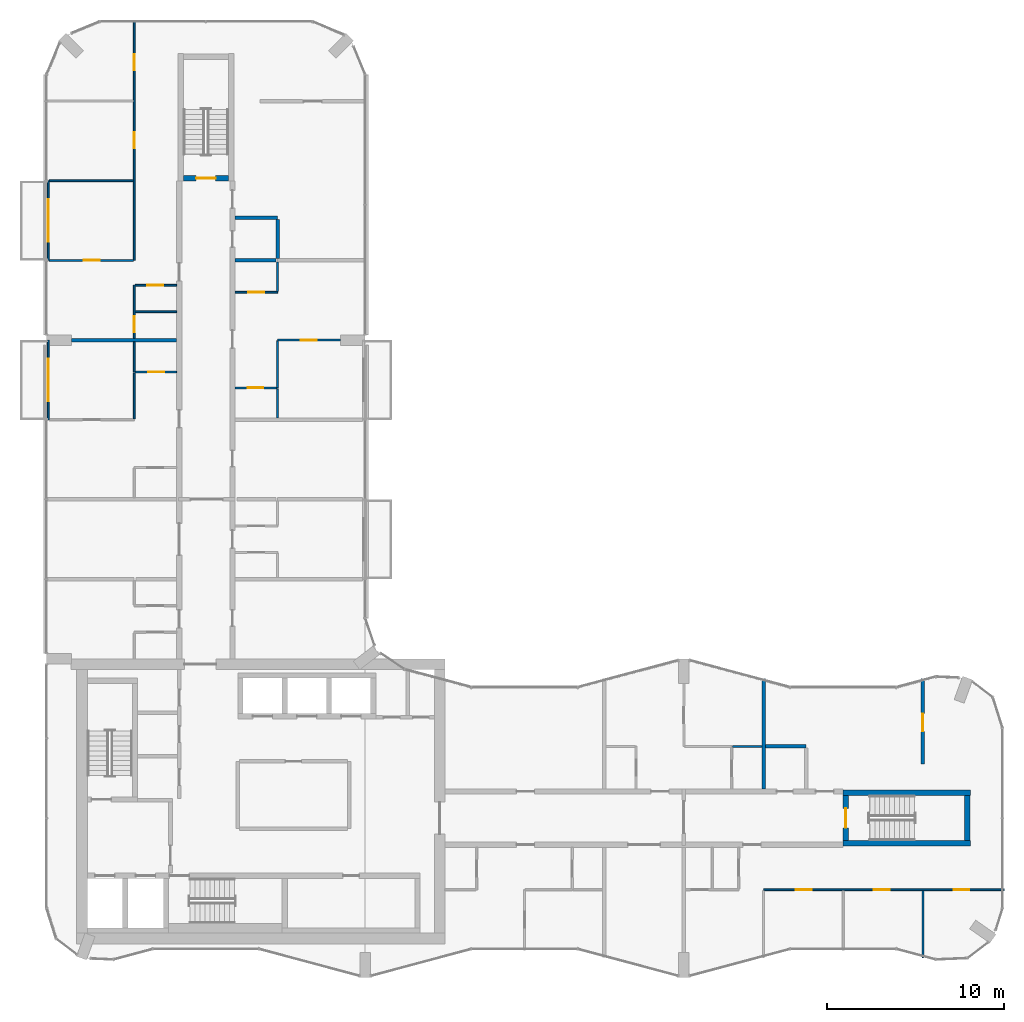
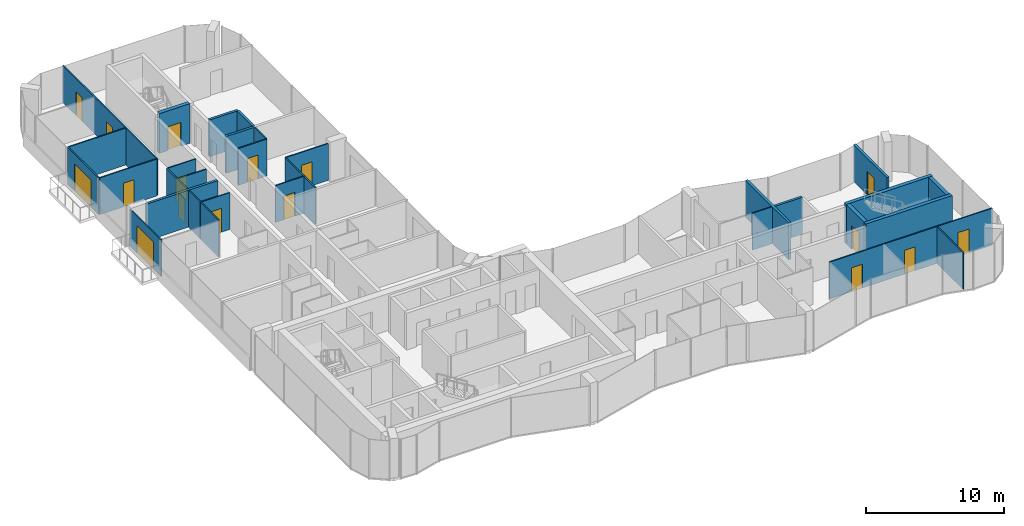
# One storey, part 12 of 15: 32 walls, 17 doors, 17 openings.
"""IFC4 building model written with IfcOpenShell, lengths in metres."""

from ifc_helpers import new_model, si_unit, direction, frame, frame_2d, origin, place, context, subcontext, project, spatial, rectangle, extrude, material, layer, layer_set, type_object, element, fill, save


model = new_model("IFC4")

# Units and contexts
model_context = context("Model", 3, precision=1e-05, world=origin(), true_north=direction((0.0, 1.0)))
body_context = subcontext(model_context, "Body", "Model", "MODEL_VIEW")
ifc_project = project(units=[si_unit("LENGTHUNIT", "METRE"), si_unit("AREAUNIT", "SQUARE_METRE"), si_unit("VOLUMEUNIT", "CUBIC_METRE"), si_unit("PLANEANGLEUNIT", "RADIAN"), si_unit("MASSUNIT", "GRAM", prefix="KILO")], contexts=[model_context])

# Site, building, storey
site_placement = place(None, origin())
site = spatial("IfcSite", under=ifc_project, at=site_placement, CompositionType="ELEMENT")
building_placement = place(site_placement, origin())
building = spatial("IfcBuilding", under=site, at=building_placement, Name="Plateau Cross Towers", CompositionType="ELEMENT")
storey_placement = place(building_placement, frame((0.0, 0.0, 149.89990234375)))
storey = spatial("IfcBuildingStorey", under=building, at=storey_placement, Name="L38", CompositionType="ELEMENT", Elevation=149.89990234375)

# Wall, opening, door
ifc_material_1 = material(Name="Aluminium framed glazing", Category="aluminium")
ifc_layer_1 = layer(ifc_material_1, 0.10009765625)
ifc_layer_set_1 = layer_set([ifc_layer_1], Name="Aluminium framed glazing")
wall_type_1 = type_object("IfcWallType", Name="Balcony screen wall 100", PredefinedType="STANDARD", material=ifc_layer_set_1)
wall_1_placement = place(storey_placement, frame((0.10009765625, 31.5, 0.0), z_axis=(0.0, 0.0, 1.0), x_axis=(0.0, 1.0, 0.0)))
wall_1 = element("IfcWall", 1, at=wall_1_placement, inside=storey, type_object=wall_type_1, Name="Balcony screen wall A-BAL-L38-01", PredefinedType="STANDARD", context=body_context, shape_type="SweptSolid", body=[
    extrude(rectangle(XDim=4.5, YDim=0.10009765625, at=frame_2d((2.25, 0.0))), origin(), (0.0, 0.0, 1.0), 3.25),
])
opening_1_placement = place(wall_1_placement, frame((1.050048828125, 0.0, 0.0)))
opening_1 = element("IfcOpeningElement", 2, at=opening_1_placement, cuts=wall_1, Name="Opening D-B24", PredefinedType="OPENING", context=body_context, shape_type="SweptSolid", body=[
    extrude(rectangle(XDim=2.39990234375, YDim=2.39990234375, at=frame_2d((1.199951171875, 1.199951171875))), frame((0.0, 0.06005859375, 0.0), z_axis=(0.0, -1.0, 0.0), x_axis=(1.0, 0.0, 0.0)), (0.0, 0.0, 1.0), 0.1201171875),
])
ifc_material_2 = material(Name="Aluminium frame, double glazing", Category="aluminium")
door_type_1 = type_object("IfcDoorType", Name="Balcony sliding door 2400", OperationType="NOTDEFINED", PredefinedType="DOOR", material=ifc_material_2)
door_1_placement = place(opening_1_placement, origin())
door_1 = element("IfcDoor", 3, at=door_1_placement, inside=storey, type_object=door_type_1, Name="Balcony door A-BAL-L38-01", OperationType="SINGLE_SWING_LEFT", OverallHeight=2.39990234375, OverallWidth=2.39990234375, PredefinedType="DOOR", context=body_context, shape_type="SweptSolid", body=[
    extrude(rectangle(XDim=2.39990234375, YDim=2.39990234375, at=frame_2d((1.199951171875, 1.199951171875))), frame((0.0, 0.02490234375, 0.0), z_axis=(0.0, -1.0, 0.0), x_axis=(1.0, 0.0, 0.0)), (0.0, 0.0, 1.0), 0.050048828125),
])
fill(opening_1, door_1)

wall_2_placement = place(storey_placement, frame((0.10009765625, 40.5, 0.0), z_axis=(0.0, 0.0, 1.0), x_axis=(0.0, 1.0, 0.0)))
wall_2 = element("IfcWall", 4, at=wall_2_placement, inside=storey, type_object=wall_type_1, Name="Balcony screen wall A-BAL-L38-02", PredefinedType="STANDARD", context=body_context, shape_type="SweptSolid", body=[
    extrude(rectangle(XDim=4.5, YDim=0.10009765625, at=frame_2d((2.25, 0.0))), origin(), (0.0, 0.0, 1.0), 3.25),
])
opening_2_placement = place(wall_2_placement, frame((1.050048828125, 0.0, 0.0)))
opening_2 = element("IfcOpeningElement", 5, at=opening_2_placement, cuts=wall_2, Name="Opening D-B24", PredefinedType="OPENING", context=body_context, shape_type="SweptSolid", body=[
    extrude(rectangle(XDim=2.39990234375, YDim=2.39990234375, at=frame_2d((1.199951171875, 1.199951171875))), frame((0.0, 0.06005859375, 0.0), z_axis=(0.0, -1.0, 0.0), x_axis=(1.0, 0.0, 0.0)), (0.0, 0.0, 1.0), 0.1201171875),
])
door_2_placement = place(opening_2_placement, origin())
door_2 = element("IfcDoor", 6, at=door_2_placement, inside=storey, type_object=door_type_1, Name="Balcony door A-BAL-L38-02", OperationType="SINGLE_SWING_LEFT", OverallHeight=2.39990234375, OverallWidth=2.39990234375, PredefinedType="DOOR", context=body_context, shape_type="SweptSolid", body=[
    extrude(rectangle(XDim=2.39990234375, YDim=2.39990234375, at=frame_2d((1.199951171875, 1.199951171875))), frame((0.0, 0.02490234375, 0.0), z_axis=(0.0, -1.0, 0.0), x_axis=(1.0, 0.0, 0.0)), (0.0, 0.0, 1.0), 0.050048828125),
])
fill(opening_2, door_2)

# Wall, openings, doors
ifc_material_3 = material(Name="Gypsum board on steel studs", Category="steel")
ifc_layer_2 = layer(ifc_material_3, 0.10009765625)
ifc_layer_set_2 = layer_set([ifc_layer_2], Name="Gypsum board on steel studs")
wall_type_2 = type_object("IfcWallType", Name="Flat partition 100", PredefinedType="PARTITIONING", material=ifc_layer_set_2)
wall_3_placement = place(storey_placement, frame((54.080078125, 4.949951171875, 0.0), z_axis=(0.0, 0.0, 1.0), x_axis=(-1.0, 0.0, 0.0)))
wall_3 = element("IfcWall", 7, at=wall_3_placement, inside=storey, type_object=wall_type_2, Name="Partition wall", PredefinedType="PARTITIONING", context=body_context, shape_type="SweptSolid", body=[
    extrude(rectangle(XDim=13.580078125, YDim=0.10009765625, at=frame_2d((6.7900390625, 0.0))), origin(), (0.0, 0.0, 1.0), 3.25),
])
opening_3_placement = place(wall_3_placement, frame((10.85009765625, 0.0, 0.0)))
opening_3 = element("IfcOpeningElement", 8, at=opening_3_placement, cuts=wall_3, Name="Opening 38-27", PredefinedType="OPENING", context=body_context, shape_type="SweptSolid", body=[
    extrude(rectangle(XDim=0.89990234375, YDim=2.10009765625, at=frame_2d((0.449951171875, 1.050048828125))), frame((0.0, 0.06005859375, 0.0), z_axis=(0.0, -1.0, 0.0), x_axis=(1.0, 0.0, 0.0)), (0.0, 0.0, 1.0), 0.1201171875),
])
opening_4_placement = place(wall_3_placement, frame((6.449951171875, 0.0, 0.0)))
opening_4 = element("IfcOpeningElement", 9, at=opening_4_placement, cuts=wall_3, Name="Opening 38-28", PredefinedType="OPENING", context=body_context, shape_type="SweptSolid", body=[
    extrude(rectangle(XDim=0.89990234375, YDim=2.10009765625, at=frame_2d((0.449951171875, 1.050048828125))), frame((0.0, 0.06005859375, 0.0), z_axis=(0.0, -1.0, 0.0), x_axis=(1.0, 0.0, 0.0)), (0.0, 0.0, 1.0), 0.1201171875),
])
opening_5_placement = place(wall_3_placement, frame((1.949951171875, 0.0, 0.0)))
opening_5 = element("IfcOpeningElement", 10, at=opening_5_placement, cuts=wall_3, Name="Opening 38-29", PredefinedType="OPENING", context=body_context, shape_type="SweptSolid", body=[
    extrude(rectangle(XDim=0.89990234375, YDim=2.10009765625, at=frame_2d((0.449951171875, 1.050048828125))), frame((0.0, 0.06005859375, 0.0), z_axis=(0.0, -1.0, 0.0), x_axis=(1.0, 0.0, 0.0)), (0.0, 0.0, 1.0), 0.1201171875),
])
ifc_material_4 = material(Name="Timber leaf", Category="wood")
door_type_2 = type_object("IfcDoorType", Name="Flat room door 900", OperationType="NOTDEFINED", PredefinedType="DOOR", material=ifc_material_4)
door_3_placement = place(opening_3_placement, origin())
door_3 = element("IfcDoor", 11, at=door_3_placement, inside=storey, type_object=door_type_2, Name="Door 38-27", OperationType="SINGLE_SWING_RIGHT", OverallHeight=2.10009765625, OverallWidth=0.89990234375, PredefinedType="DOOR", context=body_context, shape_type="SweptSolid", body=[
    extrude(rectangle(XDim=0.89990234375, YDim=2.10009765625, at=frame_2d((0.449951171875, 1.050048828125))), frame((0.0, 0.02490234375, 0.0), z_axis=(0.0, -1.0, 0.0), x_axis=(1.0, 0.0, 0.0)), (0.0, 0.0, 1.0), 0.050048828125),
])
fill(opening_3, door_3)
door_4_placement = place(opening_4_placement, origin())
door_4 = element("IfcDoor", 12, at=door_4_placement, inside=storey, type_object=door_type_2, Name="Door 38-28", OperationType="SINGLE_SWING_RIGHT", OverallHeight=2.10009765625, OverallWidth=0.89990234375, PredefinedType="DOOR", context=body_context, shape_type="SweptSolid", body=[
    extrude(rectangle(XDim=0.89990234375, YDim=2.10009765625, at=frame_2d((0.449951171875, 1.050048828125))), frame((0.0, 0.02490234375, 0.0), z_axis=(0.0, -1.0, 0.0), x_axis=(1.0, 0.0, 0.0)), (0.0, 0.0, 1.0), 0.050048828125),
])
fill(opening_4, door_4)
door_5_placement = place(opening_5_placement, origin())
door_5 = element("IfcDoor", 13, at=door_5_placement, inside=storey, type_object=door_type_2, Name="Door 38-29", OperationType="SINGLE_SWING_LEFT", OverallHeight=2.10009765625, OverallWidth=0.89990234375, PredefinedType="DOOR", context=body_context, shape_type="SweptSolid", body=[
    extrude(rectangle(XDim=0.89990234375, YDim=2.10009765625, at=frame_2d((0.449951171875, 1.050048828125))), frame((0.0, 0.02490234375, 0.0), z_axis=(0.0, -1.0, 0.0), x_axis=(1.0, 0.0, 0.0)), (0.0, 0.0, 1.0), 0.050048828125),
])
fill(opening_5, door_5)

# Wall
wall_4_placement = place(storey_placement, frame((40.39990234375, 13.050048828125, 0.0), z_axis=(0.0, 0.0, 1.0), x_axis=(-1.0, 0.0, 0.0)))
element("IfcWall", 14, at=wall_4_placement, inside=storey, type_object=wall_type_2, Name="Partition wall", PredefinedType="PARTITIONING", context=body_context, shape_type="SweptSolid", body=[
    extrude(rectangle(XDim=1.64990234375, YDim=0.10009765625, at=frame_2d((0.824951171875, 0.0))), origin(), (0.0, 0.0, 1.0), 3.25),
])

# Wall, opening, door
wall_5_placement = place(storey_placement, frame((13.0, 33.300048828125, 0.0), z_axis=(0.0, 0.0, 1.0), x_axis=(-1.0, 0.0, 0.0)))
wall_5 = element("IfcWall", 15, at=wall_5_placement, inside=storey, type_object=wall_type_2, Name="Partition wall", PredefinedType="PARTITIONING", context=body_context, shape_type="SweptSolid", body=[
    extrude(rectangle(XDim=2.35009765625, YDim=0.10009765625, at=frame_2d((1.175048828125, 0.0))), origin(), (0.0, 0.0, 1.0), 3.25),
])
opening_6_placement = place(wall_5_placement, frame((0.75, 0.0, 0.0)))
opening_6 = element("IfcOpeningElement", 16, at=opening_6_placement, cuts=wall_5, Name="Opening 38-45", PredefinedType="OPENING", context=body_context, shape_type="SweptSolid", body=[
    extrude(rectangle(XDim=0.89990234375, YDim=2.10009765625, at=frame_2d((0.449951171875, 1.050048828125))), frame((0.0, 0.06005859375, 0.0), z_axis=(0.0, -1.0, 0.0), x_axis=(1.0, 0.0, 0.0)), (0.0, 0.0, 1.0), 0.1201171875),
])
door_6_placement = place(opening_6_placement, origin())
door_6 = element("IfcDoor", 17, at=door_6_placement, inside=storey, type_object=door_type_2, Name="Door 38-45", OperationType="SINGLE_SWING_RIGHT", OverallHeight=2.10009765625, OverallWidth=0.89990234375, PredefinedType="DOOR", context=body_context, shape_type="SweptSolid", body=[
    extrude(rectangle(XDim=0.89990234375, YDim=2.10009765625, at=frame_2d((0.449951171875, 1.050048828125))), frame((0.0, 0.02490234375, 0.0), z_axis=(0.0, -1.0, 0.0), x_axis=(1.0, 0.0, 0.0)), (0.0, 0.0, 1.0), 0.050048828125),
])
fill(opening_6, door_6)

wall_6_placement = place(storey_placement, frame((5.0, 34.199951171875, 0.0), z_axis=(0.0, 0.0, 1.0), x_axis=(1.0, 0.0, 0.0)))
wall_6 = element("IfcWall", 18, at=wall_6_placement, inside=storey, type_object=wall_type_2, Name="Partition wall", PredefinedType="PARTITIONING", context=body_context, shape_type="SweptSolid", body=[
    extrude(rectangle(XDim=2.35009765625, YDim=0.10009765625, at=frame_2d((1.175048828125, 0.0))), origin(), (0.0, 0.0, 1.0), 3.25),
])
opening_7_placement = place(wall_6_placement, frame((0.75, 0.0, 0.0)))
opening_7 = element("IfcOpeningElement", 19, at=opening_7_placement, cuts=wall_6, Name="Opening 38-36", PredefinedType="OPENING", context=body_context, shape_type="SweptSolid", body=[
    extrude(rectangle(XDim=0.89990234375, YDim=2.10009765625, at=frame_2d((0.449951171875, 1.050048828125))), frame((0.0, 0.06005859375, 0.0), z_axis=(0.0, -1.0, 0.0), x_axis=(1.0, 0.0, 0.0)), (0.0, 0.0, 1.0), 0.1201171875),
])
door_7_placement = place(opening_7_placement, origin())
door_7 = element("IfcDoor", 20, at=door_7_placement, inside=storey, type_object=door_type_2, Name="Door 38-36", OperationType="SINGLE_SWING_RIGHT", OverallHeight=2.10009765625, OverallWidth=0.89990234375, PredefinedType="DOOR", context=body_context, shape_type="SweptSolid", body=[
    extrude(rectangle(XDim=0.89990234375, YDim=2.10009765625, at=frame_2d((0.449951171875, 1.050048828125))), frame((0.0, 0.02490234375, 0.0), z_axis=(0.0, -1.0, 0.0), x_axis=(1.0, 0.0, 0.0)), (0.0, 0.0, 1.0), 0.050048828125),
])
fill(opening_7, door_7)

wall_7_placement = place(storey_placement, frame((16.60009765625, 36.0, 0.0), z_axis=(0.0, 0.0, 1.0), x_axis=(-1.0, 0.0, 0.0)))
wall_7 = element("IfcWall", 21, at=wall_7_placement, inside=storey, type_object=wall_type_2, Name="Partition wall", PredefinedType="PARTITIONING", context=body_context, shape_type="SweptSolid", body=[
    extrude(rectangle(XDim=3.550048828125, YDim=0.10009765625, at=frame_2d((1.77490234375, 0.0))), origin(), (0.0, 0.0, 1.0), 3.25),
])
opening_8_placement = place(wall_7_placement, frame((1.35009765625, 0.0, 0.0)))
opening_8 = element("IfcOpeningElement", 22, at=opening_8_placement, cuts=wall_7, Name="Opening 38-47", PredefinedType="OPENING", context=body_context, shape_type="SweptSolid", body=[
    extrude(rectangle(XDim=0.89990234375, YDim=2.10009765625, at=frame_2d((0.449951171875, 1.050048828125))), frame((0.0, 0.06005859375, 0.0), z_axis=(0.0, -1.0, 0.0), x_axis=(1.0, 0.0, 0.0)), (0.0, 0.0, 1.0), 0.1201171875),
])
door_8_placement = place(opening_8_placement, origin())
door_8 = element("IfcDoor", 23, at=door_8_placement, inside=storey, type_object=door_type_2, Name="Door 38-47", OperationType="SINGLE_SWING_RIGHT", OverallHeight=2.10009765625, OverallWidth=0.89990234375, PredefinedType="DOOR", context=body_context, shape_type="SweptSolid", body=[
    extrude(rectangle(XDim=0.89990234375, YDim=2.10009765625, at=frame_2d((0.449951171875, 1.050048828125))), frame((0.0, 0.02490234375, 0.0), z_axis=(0.0, -1.0, 0.0), x_axis=(1.0, 0.0, 0.0)), (0.0, 0.0, 1.0), 0.050048828125),
])
fill(opening_8, door_8)

# Wall
wall_8_placement = place(storey_placement, frame((7.35009765625, 37.60009765625, 0.0), z_axis=(0.0, 0.0, 1.0), x_axis=(-1.0, 0.0, 0.0)))
element("IfcWall", 24, at=wall_8_placement, inside=storey, type_object=wall_type_2, Name="Partition wall", PredefinedType="PARTITIONING", context=body_context, shape_type="SweptSolid", body=[
    extrude(rectangle(XDim=2.35009765625, YDim=0.10009765625, at=frame_2d((1.175048828125, 0.0))), origin(), (0.0, 0.0, 1.0), 3.25),
])

# Wall, opening, door
wall_9_placement = place(storey_placement, frame((10.64990234375, 38.699951171875, 0.0), z_axis=(0.0, 0.0, 1.0), x_axis=(1.0, 0.0, 0.0)))
wall_9 = element("IfcWall", 25, at=wall_9_placement, inside=storey, type_object=wall_type_2, Name="Partition wall", PredefinedType="PARTITIONING", context=body_context, shape_type="SweptSolid", body=[
    extrude(rectangle(XDim=2.400146484375, YDim=0.10009765625, at=frame_2d((1.2001953125, 0.0))), origin(), (0.0, 0.0, 1.0), 3.25),
])
opening_9_placement = place(wall_9_placement, frame((0.75, 0.0, 0.0)))
opening_9 = element("IfcOpeningElement", 26, at=opening_9_placement, cuts=wall_9, Name="Opening 38-46", PredefinedType="OPENING", context=body_context, shape_type="SweptSolid", body=[
    extrude(rectangle(XDim=0.89990234375, YDim=2.10009765625, at=frame_2d((0.449951171875, 1.050048828125))), frame((0.0, 0.06005859375, 0.0), z_axis=(0.0, -1.0, 0.0), x_axis=(1.0, 0.0, 0.0)), (0.0, 0.0, 1.0), 0.1201171875),
])
door_9_placement = place(opening_9_placement, origin())
door_9 = element("IfcDoor", 27, at=door_9_placement, inside=storey, type_object=door_type_2, Name="Door 38-46", OperationType="SINGLE_SWING_LEFT", OverallHeight=2.10009765625, OverallWidth=0.89990234375, PredefinedType="DOOR", context=body_context, shape_type="SweptSolid", body=[
    extrude(rectangle(XDim=0.89990234375, YDim=2.10009765625, at=frame_2d((0.449951171875, 1.050048828125))), frame((0.0, 0.02490234375, 0.0), z_axis=(0.0, -1.0, 0.0), x_axis=(1.0, 0.0, 0.0)), (0.0, 0.0, 1.0), 0.050048828125),
])
fill(opening_9, door_9)

wall_10_placement = place(storey_placement, frame((7.35009765625, 39.10009765625, 0.0), z_axis=(0.0, 0.0, 1.0), x_axis=(-1.0, 0.0, 0.0)))
wall_10 = element("IfcWall", 28, at=wall_10_placement, inside=storey, type_object=wall_type_2, Name="Partition wall", PredefinedType="PARTITIONING", context=body_context, shape_type="SweptSolid", body=[
    extrude(rectangle(XDim=2.35009765625, YDim=0.10009765625, at=frame_2d((1.175048828125, 0.0))), origin(), (0.0, 0.0, 1.0), 3.25),
])
opening_10_placement = place(wall_10_placement, frame((0.75, 0.0, 0.0)))
opening_10 = element("IfcOpeningElement", 29, at=opening_10_placement, cuts=wall_10, Name="Opening 38-39", PredefinedType="OPENING", context=body_context, shape_type="SweptSolid", body=[
    extrude(rectangle(XDim=0.89990234375, YDim=2.10009765625, at=frame_2d((0.449951171875, 1.050048828125))), frame((0.0, 0.06005859375, 0.0), z_axis=(0.0, -1.0, 0.0), x_axis=(1.0, 0.0, 0.0)), (0.0, 0.0, 1.0), 0.1201171875),
])
door_10_placement = place(opening_10_placement, origin())
door_10 = element("IfcDoor", 30, at=door_10_placement, inside=storey, type_object=door_type_2, Name="Door 38-39", OperationType="SINGLE_SWING_RIGHT", OverallHeight=2.10009765625, OverallWidth=0.89990234375, PredefinedType="DOOR", context=body_context, shape_type="SweptSolid", body=[
    extrude(rectangle(XDim=0.89990234375, YDim=2.10009765625, at=frame_2d((0.449951171875, 1.050048828125))), frame((0.0, 0.02490234375, 0.0), z_axis=(0.0, -1.0, 0.0), x_axis=(1.0, 0.0, 0.0)), (0.0, 0.0, 1.0), 0.050048828125),
])
fill(opening_10, door_10)

wall_11_placement = place(storey_placement, frame((0.14990234375, 40.5, 0.0), z_axis=(0.0, 0.0, 1.0), x_axis=(1.0, 0.0, 0.0)))
wall_11 = element("IfcWall", 31, at=wall_11_placement, inside=storey, type_object=wall_type_2, Name="Partition wall", PredefinedType="PARTITIONING", context=body_context, shape_type="SweptSolid", body=[
    extrude(rectangle(XDim=4.75, YDim=0.10009765625, at=frame_2d((2.375, 0.0))), origin(), (0.0, 0.0, 1.0), 3.25),
])
opening_11_placement = place(wall_11_placement, frame((1.949951171875, 0.0, 0.0)))
opening_11 = element("IfcOpeningElement", 32, at=opening_11_placement, cuts=wall_11, Name="Opening 38-40", PredefinedType="OPENING", context=body_context, shape_type="SweptSolid", body=[
    extrude(rectangle(XDim=0.89990234375, YDim=2.10009765625, at=frame_2d((0.449951171875, 1.050048828125))), frame((0.0, 0.06005859375, 0.0), z_axis=(0.0, -1.0, 0.0), x_axis=(1.0, 0.0, 0.0)), (0.0, 0.0, 1.0), 0.1201171875),
])
door_11_placement = place(opening_11_placement, origin())
door_11 = element("IfcDoor", 33, at=door_11_placement, inside=storey, type_object=door_type_2, Name="Door 38-40", OperationType="SINGLE_SWING_RIGHT", OverallHeight=2.10009765625, OverallWidth=0.89990234375, PredefinedType="DOOR", context=body_context, shape_type="SweptSolid", body=[
    extrude(rectangle(XDim=0.89990234375, YDim=2.10009765625, at=frame_2d((0.449951171875, 1.050048828125))), frame((0.0, 0.02490234375, 0.0), z_axis=(0.0, -1.0, 0.0), x_axis=(1.0, 0.0, 0.0)), (0.0, 0.0, 1.0), 0.050048828125),
])
fill(opening_11, door_11)

# Walls
wall_12_placement = place(storey_placement, frame((4.89990234375, 45.0, 0.0), z_axis=(0.0, 0.0, 1.0), x_axis=(-1.0, 0.0, 0.0)))
element("IfcWall", 34, at=wall_12_placement, inside=storey, type_object=wall_type_2, Name="Partition wall", PredefinedType="PARTITIONING", context=body_context, shape_type="SweptSolid", body=[
    extrude(rectangle(XDim=4.75, YDim=0.10009765625, at=frame_2d((2.375, 0.0))), origin(), (0.0, 0.0, 1.0), 3.25),
])
wall_13_placement = place(storey_placement, frame((4.949951171875, 35.89990234375, 0.0), z_axis=(0.0, 0.0, 1.0), x_axis=(0.0, -1.0, 0.0)))
element("IfcWall", 35, at=wall_13_placement, inside=storey, type_object=wall_type_2, Name="Partition wall", PredefinedType="PARTITIONING", context=body_context, shape_type="SweptSolid", body=[
    extrude(rectangle(XDim=1.699951171875, YDim=0.10009765625, at=frame_2d((0.85009765625, 0.0))), origin(), (0.0, 0.0, 1.0), 3.25),
])

# Wall, opening, door
wall_14_placement = place(storey_placement, frame((4.949951171875, 39.10009765625, 0.0), z_axis=(0.0, 0.0, 1.0), x_axis=(0.0, -1.0, 0.0)))
wall_14 = element("IfcWall", 36, at=wall_14_placement, inside=storey, type_object=wall_type_2, Name="Partition wall", PredefinedType="PARTITIONING", context=body_context, shape_type="SweptSolid", body=[
    extrude(rectangle(XDim=3.0, YDim=0.10009765625, at=frame_2d((1.5, 0.0))), origin(), (0.0, 0.0, 1.0), 3.25),
])
opening_12_placement = place(wall_14_placement, frame((1.75, 0.0, 0.0)))
opening_12 = element("IfcOpeningElement", 37, at=opening_12_placement, cuts=wall_14, Name="Opening 38-38", PredefinedType="OPENING", context=body_context, shape_type="SweptSolid", body=[
    extrude(rectangle(XDim=0.89990234375, YDim=2.10009765625, at=frame_2d((0.449951171875, 1.050048828125))), frame((0.0, 0.06005859375, 0.0), z_axis=(0.0, -1.0, 0.0), x_axis=(1.0, 0.0, 0.0)), (0.0, 0.0, 1.0), 0.1201171875),
])
door_12_placement = place(opening_12_placement, origin())
door_12 = element("IfcDoor", 38, at=door_12_placement, inside=storey, type_object=door_type_2, Name="Door 38-38", OperationType="SINGLE_SWING_RIGHT", OverallHeight=2.10009765625, OverallWidth=0.89990234375, PredefinedType="DOOR", context=body_context, shape_type="SweptSolid", body=[
    extrude(rectangle(XDim=0.89990234375, YDim=2.10009765625, at=frame_2d((0.449951171875, 1.050048828125))), frame((0.0, 0.02490234375, 0.0), z_axis=(0.0, -1.0, 0.0), x_axis=(1.0, 0.0, 0.0)), (0.0, 0.0, 1.0), 0.050048828125),
])
fill(opening_12, door_12)

# Wall
wall_15_placement = place(storey_placement, frame((4.949951171875, 31.550048828125, 0.0), z_axis=(0.0, 0.0, 1.0), x_axis=(0.0, 1.0, 0.0)))
element("IfcWall", 39, at=wall_15_placement, inside=storey, type_object=wall_type_2, Name="Partition wall", PredefinedType="PARTITIONING", context=body_context, shape_type="SweptSolid", body=[
    extrude(rectangle(XDim=2.599853515625, YDim=0.10009765625, at=frame_2d((1.2998046875, 0.0))), origin(), (0.0, 0.0, 1.0), 3.25),
])

# Wall, openings, doors
wall_16_placement = place(storey_placement, frame((4.949951171875, 40.5, 0.0), z_axis=(0.0, 0.0, 1.0), x_axis=(0.0, 1.0, 0.0)))
wall_16 = element("IfcWall", 40, at=wall_16_placement, inside=storey, type_object=wall_type_2, Name="Partition wall", PredefinedType="PARTITIONING", context=body_context, shape_type="SweptSolid", body=[
    extrude(rectangle(XDim=13.580078125, YDim=0.10009765625, at=frame_2d((6.7900390625, 0.0))), origin(), (0.0, 0.0, 1.0), 3.25),
])
opening_13_placement = place(wall_16_placement, frame((6.35009765625, 0.0, 0.0)))
opening_13 = element("IfcOpeningElement", 41, at=opening_13_placement, cuts=wall_16, Name="Opening 38-41", PredefinedType="OPENING", context=body_context, shape_type="SweptSolid", body=[
    extrude(rectangle(XDim=0.89990234375, YDim=2.10009765625, at=frame_2d((0.449951171875, 1.050048828125))), frame((0.0, 0.06005859375, 0.0), z_axis=(0.0, -1.0, 0.0), x_axis=(1.0, 0.0, 0.0)), (0.0, 0.0, 1.0), 0.1201171875),
])
opening_14_placement = place(wall_16_placement, frame((10.75, 0.0, 0.0)))
opening_14 = element("IfcOpeningElement", 42, at=opening_14_placement, cuts=wall_16, Name="Opening 38-42", PredefinedType="OPENING", context=body_context, shape_type="SweptSolid", body=[
    extrude(rectangle(XDim=0.89990234375, YDim=2.10009765625, at=frame_2d((0.449951171875, 1.050048828125))), frame((0.0, 0.06005859375, 0.0), z_axis=(0.0, -1.0, 0.0), x_axis=(1.0, 0.0, 0.0)), (0.0, 0.0, 1.0), 0.1201171875),
])
door_13_placement = place(opening_13_placement, origin())
door_13 = element("IfcDoor", 43, at=door_13_placement, inside=storey, type_object=door_type_2, Name="Door 38-41", OperationType="SINGLE_SWING_RIGHT", OverallHeight=2.10009765625, OverallWidth=0.89990234375, PredefinedType="DOOR", context=body_context, shape_type="SweptSolid", body=[
    extrude(rectangle(XDim=0.89990234375, YDim=2.10009765625, at=frame_2d((0.449951171875, 1.050048828125))), frame((0.0, 0.02490234375, 0.0), z_axis=(0.0, -1.0, 0.0), x_axis=(1.0, 0.0, 0.0)), (0.0, 0.0, 1.0), 0.050048828125),
])
fill(opening_13, door_13)
door_14_placement = place(opening_14_placement, origin())
door_14 = element("IfcDoor", 44, at=door_14_placement, inside=storey, type_object=door_type_2, Name="Door 38-42", OperationType="SINGLE_SWING_RIGHT", OverallHeight=2.10009765625, OverallWidth=0.89990234375, PredefinedType="DOOR", context=body_context, shape_type="SweptSolid", body=[
    extrude(rectangle(XDim=0.89990234375, YDim=2.10009765625, at=frame_2d((0.449951171875, 1.050048828125))), frame((0.0, 0.02490234375, 0.0), z_axis=(0.0, -1.0, 0.0), x_axis=(1.0, 0.0, 0.0)), (0.0, 0.0, 1.0), 0.050048828125),
])
fill(opening_14, door_14)

# Walls
wall_17_placement = place(storey_placement, frame((13.050048828125, 35.949951171875, 0.0), z_axis=(0.0, 0.0, 1.0), x_axis=(0.0, -1.0, 0.0)))
element("IfcWall", 45, at=wall_17_placement, inside=storey, type_object=wall_type_2, Name="Partition wall", PredefinedType="PARTITIONING", context=body_context, shape_type="SweptSolid", body=[
    extrude(rectangle(XDim=2.64990234375, YDim=0.10009765625, at=frame_2d((1.324951171875, 0.0))), origin(), (0.0, 0.0, 1.0), 3.25),
])
for number, where, z_axis, x_axis, name in (
    (46, (13.050048828125, 31.60009765625, 0.0), (0.0, 0.0, 1.0), (0.0, 1.0, 0.0), "Partition wall"),
    (47, (13.050048828125, 38.75, 0.0), (0.0, 0.0, 1.0), (0.0, 1.0, 0.0), "Partition wall"),
):
    element("IfcWall", number, at=place(storey_placement, frame(where, z_axis=z_axis, x_axis=x_axis)), inside=storey, type_object=wall_type_2, Name=name, PredefinedType="PARTITIONING", context=body_context, shape_type="SweptSolid", body=[
        extrude(rectangle(XDim=1.64990234375, YDim=0.10009765625, at=frame_2d((0.824951171875, 0.0))), origin(), (0.0, 0.0, 1.0), 3.25),
    ])
wall_18_placement = place(storey_placement, frame((49.5, 1.122314453125, 0.0), z_axis=(0.0, 0.0, 1.0), x_axis=(0.0, 1.0, 0.0)))
element("IfcWall", 48, at=wall_18_placement, inside=storey, type_object=wall_type_2, Name="Partition wall", PredefinedType="PARTITIONING", context=body_context, shape_type="SweptSolid", body=[
    extrude(rectangle(XDim=3.777587890625, YDim=0.10009765625, at=frame_2d((1.888671875, 0.0))), origin(), (0.0, 0.0, 1.0), 3.25),
])
ifc_material_5 = material(Name="Gypsum board on steel studs, two layers each side", Category="steel")
ifc_layer_3 = layer(ifc_material_5, 0.199951171875)
ifc_layer_set_3 = layer_set([ifc_layer_3], Name="Gypsum board on steel studs, two layers each side")
wall_type_3 = type_object("IfcWallType", Name="Flat party wall 200", PredefinedType="PARTITIONING", material=ifc_layer_set_3)
wall_19_placement = place(storey_placement, frame((42.89990234375, 13.050048828125, 0.0), z_axis=(0.0, 0.0, 1.0), x_axis=(-1.0, 0.0, 0.0)))
element("IfcWall", 49, at=wall_19_placement, inside=storey, type_object=wall_type_3, Name="Party wall", PredefinedType="PARTITIONING", context=body_context, shape_type="SweptSolid", body=[
    extrude(rectangle(XDim=2.2998046875, YDim=0.199951171875, at=frame_2d((1.14990234375, 0.0))), origin(), (0.0, 0.0, 1.0), 3.25),
])
wall_20_placement = place(storey_placement, frame((7.35009765625, 36.0, 0.0), z_axis=(0.0, 0.0, 1.0), x_axis=(-1.0, 0.0, 0.0)))
element("IfcWall", 50, at=wall_20_placement, inside=storey, type_object=wall_type_3, Name="Party wall", PredefinedType="PARTITIONING", context=body_context, shape_type="SweptSolid", body=[
    extrude(rectangle(XDim=5.9501953125, YDim=0.199951171875, at=frame_2d((2.97509765625, 0.0))), origin(), (0.0, 0.0, 1.0), 3.25),
])
wall_21_placement = place(storey_placement, frame((12.949951171875, 40.5, 0.0), z_axis=(0.0, 0.0, 1.0), x_axis=(-1.0, 0.0, 0.0)))
element("IfcWall", 51, at=wall_21_placement, inside=storey, type_object=wall_type_3, Name="Party wall", PredefinedType="PARTITIONING", context=body_context, shape_type="SweptSolid", body=[
    extrude(rectangle(XDim=2.300048828125, YDim=0.199951171875, at=frame_2d((1.14990234375, 0.0))), origin(), (0.0, 0.0, 1.0), 3.25),
])
wall_22_placement = place(storey_placement, frame((13.050048828125, 42.89990234375, 0.0), z_axis=(0.0, 0.0, 1.0), x_axis=(-1.0, 0.0, 0.0)))
element("IfcWall", 52, at=wall_22_placement, inside=storey, type_object=wall_type_3, Name="Party wall", PredefinedType="PARTITIONING", context=body_context, shape_type="SweptSolid", body=[
    extrude(rectangle(XDim=2.400146484375, YDim=0.199951171875, at=frame_2d((1.2001953125, 0.0))), origin(), (0.0, 0.0, 1.0), 3.25),
])
wall_23_placement = place(storey_placement, frame((13.050048828125, 40.60009765625, 0.0), z_axis=(0.0, 0.0, 1.0), x_axis=(0.0, 1.0, 0.0)))
element("IfcWall", 53, at=wall_23_placement, inside=storey, type_object=wall_type_3, Name="Party wall", PredefinedType="PARTITIONING", context=body_context, shape_type="SweptSolid", body=[
    extrude(rectangle(XDim=2.199951171875, YDim=0.199951171875, at=frame_2d((1.10009765625, 0.0))), origin(), (0.0, 0.0, 1.0), 3.25),
])
wall_24_placement = place(storey_placement, frame((40.5, 10.64990234375, 0.0), z_axis=(0.0, 0.0, 1.0), x_axis=(0.0, 1.0, 0.0)))
element("IfcWall", 54, at=wall_24_placement, inside=storey, type_object=wall_type_3, Name="Party wall", PredefinedType="PARTITIONING", context=body_context, shape_type="SweptSolid", body=[
    extrude(rectangle(XDim=6.227783203125, YDim=0.199951171875, at=frame_2d((3.11376953125, 0.0))), origin(), (0.0, 0.0, 1.0), 3.25),
])

# Wall, opening, door
wall_25_placement = place(storey_placement, frame((49.5, 12.050048828125, 0.0), z_axis=(0.0, 0.0, 1.0), x_axis=(0.0, 1.0, 0.0)))
wall_25 = element("IfcWall", 55, at=wall_25_placement, inside=storey, type_object=wall_type_3, Name="Party wall", PredefinedType="PARTITIONING", context=body_context, shape_type="SweptSolid", body=[
    extrude(rectangle(XDim=4.82763671875, YDim=0.199951171875, at=frame_2d((2.413818359375, 0.0))), origin(), (0.0, 0.0, 1.0), 3.25),
])
opening_15_placement = place(wall_25_placement, frame((1.85009765625, 0.0, 0.0)))
opening_15 = element("IfcOpeningElement", 56, at=opening_15_placement, cuts=wall_25, Name="Opening 38-20", PredefinedType="OPENING", context=body_context, shape_type="SweptSolid", body=[
    extrude(rectangle(XDim=1.0, YDim=2.10009765625, at=frame_2d((0.5, 1.050048828125))), frame((0.0, 0.10986328125, 0.0), z_axis=(0.0, -1.0, 0.0), x_axis=(1.0, 0.0, 0.0)), (0.0, 0.0, 1.0), 0.219970703125),
])
ifc_material_6 = material(Name="Timber, fire-resisting leaf", Category="wood")
door_type_3 = type_object("IfcDoorType", Name="Flat entrance door 1000", OperationType="NOTDEFINED", PredefinedType="DOOR", material=ifc_material_6)
door_15_placement = place(opening_15_placement, origin())
door_15 = element("IfcDoor", 57, at=door_15_placement, inside=storey, type_object=door_type_3, Name="Door 38-20", OperationType="SINGLE_SWING_LEFT", OverallHeight=2.10009765625, OverallWidth=1.0, PredefinedType="DOOR", context=body_context, shape_type="SweptSolid", body=[
    extrude(rectangle(XDim=1.0, YDim=2.10009765625, at=frame_2d((0.5, 1.050048828125))), frame((0.0, 0.02490234375, 0.0), z_axis=(0.0, -1.0, 0.0), x_axis=(1.0, 0.0, 0.0)), (0.0, 0.0, 1.0), 0.050048828125),
])
fill(opening_15, door_15)

ifc_material_7 = material(Name="Concrete C60/75", Category="concrete")
ifc_layer_4 = layer(ifc_material_7, 0.300048828125)
ifc_layer_set_4 = layer_set([ifc_layer_4], Name="Concrete C60/75")
wall_type_4 = type_object("IfcWallType", Name="Stair tower wall 300", PredefinedType="SHEAR", material=ifc_layer_set_4)
wall_26_placement = place(storey_placement, frame((45.14990234375, 7.72509765625, 0.0), z_axis=(0.0, 0.0, 1.0), x_axis=(0.0, 1.0, 0.0)))
wall_26 = element("IfcWall", 58, at=wall_26_placement, inside=storey, type_object=wall_type_4, Name="A-end-E-W@L38", PredefinedType="SHEAR", context=body_context, shape_type="SweptSolid", body=[
    extrude(rectangle(XDim=2.5498046875, YDim=0.300048828125, at=frame_2d((1.27490234375, 0.0))), origin(), (0.0, 0.0, 1.0), 3.5),
])
opening_16_placement = place(wall_26_placement, frame((0.72509765625, 0.0, 0.0)))
opening_16 = element("IfcOpeningElement", 59, at=opening_16_placement, cuts=wall_26, Name="Opening SD", PredefinedType="OPENING", context=body_context, shape_type="SweptSolid", body=[
    extrude(rectangle(XDim=1.10009765625, YDim=2.10009765625, at=frame_2d((0.550048828125, 1.050048828125))), frame((0.0, 0.159912109375, 0.0), z_axis=(0.0, -1.0, 0.0), x_axis=(1.0, 0.0, 0.0)), (0.0, 0.0, 1.0), 0.320068359375),
])
ifc_material_8 = material(Name="Steel, fire-resisting leaf", Category="steel")
door_type_4 = type_object("IfcDoorType", Name="Stair door 1100", OperationType="NOTDEFINED", PredefinedType="DOOR", material=ifc_material_8)
door_16_placement = place(opening_16_placement, origin())
door_16 = element("IfcDoor", 60, at=door_16_placement, inside=storey, type_object=door_type_4, Name="Stair door SD", OperationType="SINGLE_SWING_LEFT", OverallHeight=2.10009765625, OverallWidth=1.10009765625, PredefinedType="DOOR", context=body_context, shape_type="SweptSolid", body=[
    extrude(rectangle(XDim=1.10009765625, YDim=2.10009765625, at=frame_2d((0.550048828125, 1.050048828125))), frame((0.0, 0.02490234375, 0.0), z_axis=(0.0, -1.0, 0.0), x_axis=(1.0, 0.0, 0.0)), (0.0, 0.0, 1.0), 0.050048828125),
])
fill(opening_16, door_16)

# Walls
wall_27_placement = place(storey_placement, frame((52.0, 7.72509765625, 0.0), z_axis=(0.0, 0.0, 1.0), x_axis=(0.0, 1.0, 0.0)))
element("IfcWall", 61, at=wall_27_placement, inside=storey, type_object=wall_type_4, Name="A-end-E-E@L38", PredefinedType="SHEAR", context=body_context, shape_type="SweptSolid", body=[
    extrude(rectangle(XDim=2.5498046875, YDim=0.300048828125, at=frame_2d((1.27490234375, 0.0))), origin(), (0.0, 0.0, 1.0), 3.5),
])
for number, where, z_axis, x_axis, name in (
    (62, (45.0, 7.574951171875, 0.0), (0.0, 0.0, 1.0), (1.0, 0.0, 0.0), "A-end-E-S@L38"),
    (63, (45.0, 10.425048828125, 0.0), (0.0, 0.0, 1.0), (1.0, 0.0, 0.0), "A-end-E-N@L38"),
):
    element("IfcWall", number, at=place(storey_placement, frame(where, z_axis=z_axis, x_axis=x_axis)), inside=storey, type_object=wall_type_4, Name=name, PredefinedType="SHEAR", context=body_context, shape_type="SweptSolid", body=[
        extrude(rectangle(XDim=7.199951171875, YDim=0.300048828125, at=frame_2d((3.60009765625, 0.0))), origin(), (0.0, 0.0, 1.0), 3.5),
    ])

# Wall, opening, door
wall_28_placement = place(storey_placement, frame((7.72509765625, 45.14990234375, 0.0), z_axis=(0.0, 0.0, 1.0), x_axis=(1.0, 0.0, 0.0)))
wall_28 = element("IfcWall", 64, at=wall_28_placement, inside=storey, type_object=wall_type_4, Name="A-end-N-S@L38", PredefinedType="SHEAR", context=body_context, shape_type="SweptSolid", body=[
    extrude(rectangle(XDim=2.5498046875, YDim=0.300048828125, at=frame_2d((1.27490234375, 0.0))), origin(), (0.0, 0.0, 1.0), 3.5),
])
opening_17_placement = place(wall_28_placement, frame((0.72509765625, 0.0, 0.0)))
opening_17 = element("IfcOpeningElement", 65, at=opening_17_placement, cuts=wall_28, Name="Opening SD", PredefinedType="OPENING", context=body_context, shape_type="SweptSolid", body=[
    extrude(rectangle(XDim=1.10009765625, YDim=2.10009765625, at=frame_2d((0.550048828125, 1.050048828125))), frame((0.0, 0.159912109375, 0.0), z_axis=(0.0, -1.0, 0.0), x_axis=(1.0, 0.0, 0.0)), (0.0, 0.0, 1.0), 0.320068359375),
])
door_17_placement = place(opening_17_placement, origin())
door_17 = element("IfcDoor", 66, at=door_17_placement, inside=storey, type_object=door_type_4, Name="Stair door SD", OperationType="SINGLE_SWING_LEFT", OverallHeight=2.10009765625, OverallWidth=1.10009765625, PredefinedType="DOOR", context=body_context, shape_type="SweptSolid", body=[
    extrude(rectangle(XDim=1.10009765625, YDim=2.10009765625, at=frame_2d((0.550048828125, 1.050048828125))), frame((0.0, 0.02490234375, 0.0), z_axis=(0.0, -1.0, 0.0), x_axis=(1.0, 0.0, 0.0)), (0.0, 0.0, 1.0), 0.050048828125),
])
fill(opening_17, door_17)

save(model, "model.ifc")
